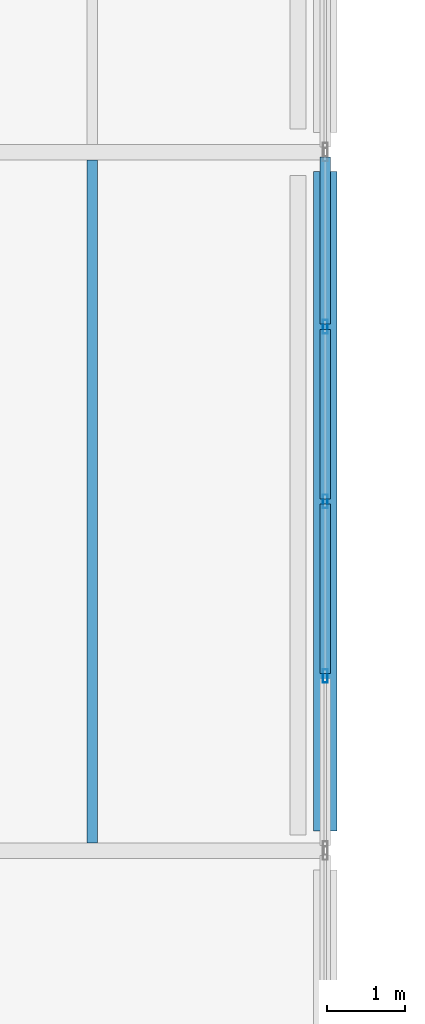
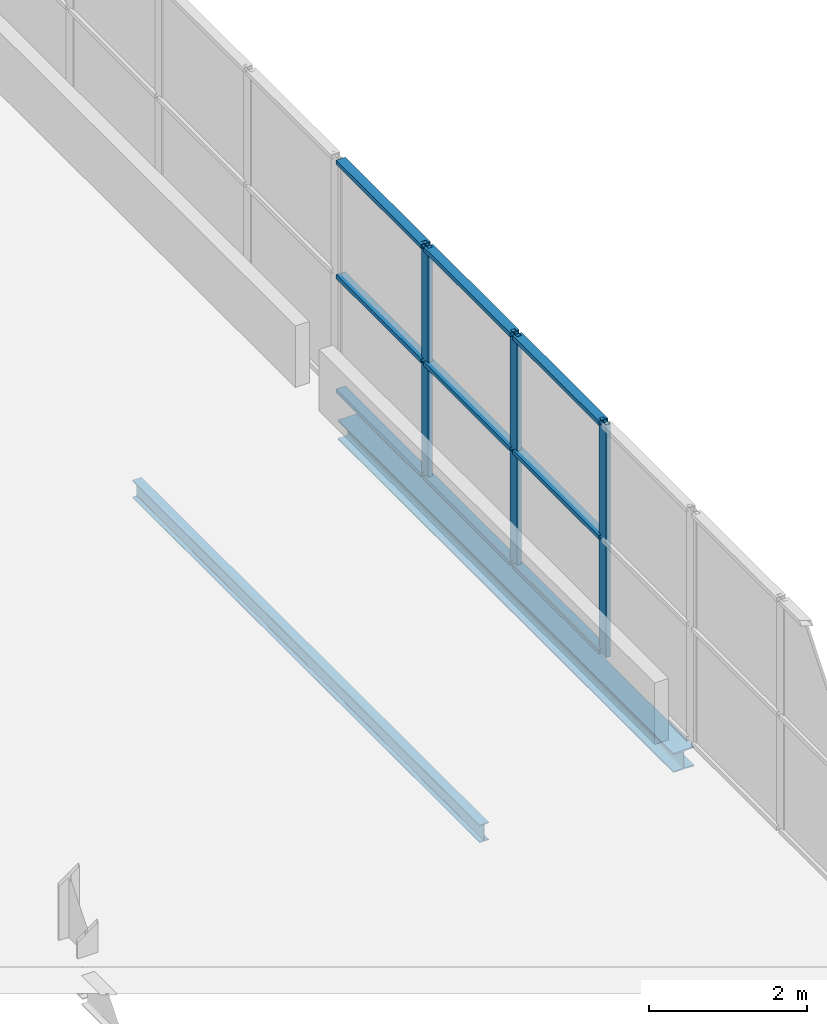
# One storey, part 26 of 88: 12 members, 2 beams, 1 element without a shape of its own.
"""IFC4 building model written with IfcOpenShell, lengths in metres."""

from ifc_helpers import new_model, si_unit, direction, frame, origin, origin_2d, place, context, subcontext, project, spatial, hollow_rectangle, i_section, extrude, material, layer, layer_set, material_profile, profile_set, type_object, element, aggregate, save


model = new_model("IFC4")

# Units and contexts
model_context = context("Model", 3, precision=1e-05, world=origin(), true_north=direction((0.0, 1.0)))
body_context = subcontext(model_context, "Body", "Model", "MODEL_VIEW")
ifc_project = project(units=[si_unit("LENGTHUNIT", "METRE"), si_unit("AREAUNIT", "SQUARE_METRE"), si_unit("VOLUMEUNIT", "CUBIC_METRE"), si_unit("PLANEANGLEUNIT", "RADIAN"), si_unit("MASSUNIT", "GRAM", prefix="KILO")], contexts=[model_context])

# Site, building, storey
site_placement = place(None, origin())
site = spatial("IfcSite", under=ifc_project, at=site_placement, CompositionType="ELEMENT")
building_placement = place(site_placement, origin())
building = spatial("IfcBuilding", under=site, at=building_placement, Name="Deido Ridge Mobility Hub", CompositionType="ELEMENT")
storey_placement = place(building_placement, frame((0.0, 0.0, 16.800048828125)))
storey = spatial("IfcBuildingStorey", under=building, at=storey_placement, Name="L04", CompositionType="ELEMENT", Elevation=16.800048828125)

# Beam
ifc_material_1 = material(Name="Steel S355J2 EN 10025-2", Category="steel")
ifc_material_profile_1 = material_profile(ifc_material_1, i_section(OverallWidth=0.135009765625, OverallDepth=0.27001953125, WebThickness=0.006591796875, FlangeThickness=0.01025390625, FilletRadius=0.014892578125, at=origin_2d()), Name="IPE 270")
ifc_profile_set_1 = profile_set([ifc_material_profile_1], Name="Steel S355J2 EN 10025-2")
beam_type_1 = type_object("IfcBeamType", Name="JST-IPE270", PredefinedType="JOIST", material=ifc_profile_set_1)
beam_1_placement = place(storey_placement, frame((105.0, 54.10009765625, -0.41015625), z_axis=(0.0, 1.0, 0.0), x_axis=(-1.0, 0.0, 0.0)))
element("IfcBeam", 1, at=beam_1_placement, inside=storey, type_object=beam_type_1, Name="Composite joist J4", PredefinedType="JOIST", context=body_context, shape_type="SweptSolid", body=[
    extrude(i_section(OverallWidth=0.135009765625, OverallDepth=0.27001953125, WebThickness=0.006591796875, FlangeThickness=0.01025390625, FilletRadius=0.014892578125, at=origin_2d()), origin(), (0.0, 0.0, 1.0), 8.7998046875),
])

# Curtain wall, members
ifc_material_2 = material(Name="Anodised aluminium EN AW-6063 T6", Category="aluminium")
ifc_layer = layer(ifc_material_2, 0.2099609375, Name="Anodised aluminium EN AW-6063 T6")
ifc_layer_set = layer_set([ifc_layer], Name="Anodised aluminium EN AW-6063 T6")
curtain_wall_type = type_object("IfcCurtainWallType", Name="CW-UF-4", PredefinedType="USERDEFINED", material=ifc_layer_set)
curtain_wall_placement = place(storey_placement, origin())
curtain_wall = element("IfcCurtainWall", 2, at=curtain_wall_placement, inside=storey, type_object=curtain_wall_type, Name="Unitised curtain wall CW4", ObjectType="UNITISED FACADE", PredefinedType="USERDEFINED")
ifc_material_profile_2 = material_profile(ifc_material_2, hollow_rectangle(XDim=0.06494140625, YDim=0.175048828125, WallThickness=0.00390625, at=origin_2d()), Name="RHS 65x175x4")
ifc_profile_set_2 = profile_set([ifc_material_profile_2], Name="Anodised aluminium EN AW-6063 T6")
member_type_1 = type_object("IfcMemberType", Name="MEM-MUL-65X175", PredefinedType="MULLION", material=ifc_profile_set_2)
member_1_placement = place(storey_placement, frame((108.0, 56.25, 0.0), z_axis=(0.0, 0.0, 1.0), x_axis=(-1.0, 0.0, 0.0)))
member_1 = element("IfcMember", 3, at=member_1_placement, type_object=member_type_1, Name="CW4 mullion 2", PredefinedType="MULLION", context=body_context, shape_type="SweptSolid", body=[
    extrude(hollow_rectangle(XDim=0.06494140625, YDim=0.175048828125, WallThickness=0.00390625, at=origin_2d()), origin(), (0.0, 0.0, 1.0), 3.599853515625),
])
member_2_placement = place(storey_placement, frame((108.0, 58.5, 0.0), z_axis=(0.0, 0.0, 1.0), x_axis=(-1.0, 0.0, 0.0)))
member_2 = element("IfcMember", 4, at=member_2_placement, type_object=member_type_1, Name="CW4 mullion 3", PredefinedType="MULLION", context=body_context, shape_type="SweptSolid", body=[
    extrude(hollow_rectangle(XDim=0.06494140625, YDim=0.175048828125, WallThickness=0.00390625, at=origin_2d()), origin(), (0.0, 0.0, 1.0), 3.599853515625),
])
member_3_placement = place(storey_placement, frame((108.0, 60.75, 0.0), z_axis=(0.0, 0.0, 1.0), x_axis=(-1.0, 0.0, 0.0)))
member_3 = element("IfcMember", 5, at=member_3_placement, type_object=member_type_1, Name="CW4 mullion 4", PredefinedType="MULLION", context=body_context, shape_type="SweptSolid", body=[
    extrude(hollow_rectangle(XDim=0.06494140625, YDim=0.175048828125, WallThickness=0.00390625, at=origin_2d()), origin(), (0.0, 0.0, 1.0), 3.599853515625),
])
ifc_material_profile_3 = material_profile(ifc_material_2, hollow_rectangle(XDim=0.135009765625, YDim=0.06494140625, WallThickness=0.00390625, at=origin_2d()), Name="RHS 135x65x4")
ifc_profile_set_3 = profile_set([ifc_material_profile_3], Name="Anodised aluminium EN AW-6063 T6")
member_type_2 = type_object("IfcMemberType", Name="MEM-TRN-135X65", PredefinedType="USERDEFINED", material=ifc_profile_set_3)
member_4_placement = place(storey_placement, frame((108.0, 56.282470703125, 0.032470703125), z_axis=(0.0, 1.0, 0.0), x_axis=(-1.0, 0.0, 0.0)))
member_4 = element("IfcMember", 6, at=member_4_placement, type_object=member_type_2, Name="CW4 transom 2.1", ObjectType="TRANSOM", PredefinedType="USERDEFINED", context=body_context, shape_type="SweptSolid", body=[
    extrude(hollow_rectangle(XDim=0.135009765625, YDim=0.06494140625, WallThickness=0.00390625, at=origin_2d()), origin(), (0.0, 0.0, 1.0), 2.18505859375),
])
member_5_placement = place(storey_placement, frame((108.0, 56.282470703125, 1.800048828125), z_axis=(0.0, 1.0, 0.0), x_axis=(-1.0, 0.0, 0.0)))
member_5 = element("IfcMember", 7, at=member_5_placement, type_object=member_type_2, Name="CW4 transom 2.2", ObjectType="TRANSOM", PredefinedType="USERDEFINED", context=body_context, shape_type="SweptSolid", body=[
    extrude(hollow_rectangle(XDim=0.135009765625, YDim=0.06494140625, WallThickness=0.00390625, at=origin_2d()), origin(), (0.0, 0.0, 1.0), 2.18505859375),
])
member_6_placement = place(storey_placement, frame((108.0, 56.282470703125, 3.5673828125), z_axis=(0.0, 1.0, 0.0), x_axis=(-1.0, 0.0, 0.0)))
member_6 = element("IfcMember", 8, at=member_6_placement, type_object=member_type_2, Name="CW4 transom 2.3", ObjectType="TRANSOM", PredefinedType="USERDEFINED", context=body_context, shape_type="SweptSolid", body=[
    extrude(hollow_rectangle(XDim=0.135009765625, YDim=0.06494140625, WallThickness=0.00390625, at=origin_2d()), origin(), (0.0, 0.0, 1.0), 2.18505859375),
])
member_7_placement = place(storey_placement, frame((108.0, 58.532470703125, 0.032470703125), z_axis=(0.0, 1.0, 0.0), x_axis=(-1.0, 0.0, 0.0)))
member_7 = element("IfcMember", 9, at=member_7_placement, type_object=member_type_2, Name="CW4 transom 3.1", ObjectType="TRANSOM", PredefinedType="USERDEFINED", context=body_context, shape_type="SweptSolid", body=[
    extrude(hollow_rectangle(XDim=0.135009765625, YDim=0.06494140625, WallThickness=0.00390625, at=origin_2d()), origin(), (0.0, 0.0, 1.0), 2.18505859375),
])
member_8_placement = place(storey_placement, frame((108.0, 58.532470703125, 1.800048828125), z_axis=(0.0, 1.0, 0.0), x_axis=(-1.0, 0.0, 0.0)))
member_8 = element("IfcMember", 10, at=member_8_placement, type_object=member_type_2, Name="CW4 transom 3.2", ObjectType="TRANSOM", PredefinedType="USERDEFINED", context=body_context, shape_type="SweptSolid", body=[
    extrude(hollow_rectangle(XDim=0.135009765625, YDim=0.06494140625, WallThickness=0.00390625, at=origin_2d()), origin(), (0.0, 0.0, 1.0), 2.18505859375),
])
member_9_placement = place(storey_placement, frame((108.0, 58.532470703125, 3.5673828125), z_axis=(0.0, 1.0, 0.0), x_axis=(-1.0, 0.0, 0.0)))
member_9 = element("IfcMember", 11, at=member_9_placement, type_object=member_type_2, Name="CW4 transom 3.3", ObjectType="TRANSOM", PredefinedType="USERDEFINED", context=body_context, shape_type="SweptSolid", body=[
    extrude(hollow_rectangle(XDim=0.135009765625, YDim=0.06494140625, WallThickness=0.00390625, at=origin_2d()), origin(), (0.0, 0.0, 1.0), 2.18505859375),
])
member_10_placement = place(storey_placement, frame((108.0, 60.782470703125, 0.032470703125), z_axis=(0.0, 1.0, 0.0), x_axis=(-1.0, 0.0, 0.0)))
member_10 = element("IfcMember", 12, at=member_10_placement, type_object=member_type_2, Name="CW4 transom 4.1", ObjectType="TRANSOM", PredefinedType="USERDEFINED", context=body_context, shape_type="SweptSolid", body=[
    extrude(hollow_rectangle(XDim=0.135009765625, YDim=0.06494140625, WallThickness=0.00390625, at=origin_2d()), origin(), (0.0, 0.0, 1.0), 2.152587890625),
])
member_11_placement = place(storey_placement, frame((108.0, 60.782470703125, 1.800048828125), z_axis=(0.0, 1.0, 0.0), x_axis=(-1.0, 0.0, 0.0)))
member_11 = element("IfcMember", 13, at=member_11_placement, type_object=member_type_2, Name="CW4 transom 4.2", ObjectType="TRANSOM", PredefinedType="USERDEFINED", context=body_context, shape_type="SweptSolid", body=[
    extrude(hollow_rectangle(XDim=0.135009765625, YDim=0.06494140625, WallThickness=0.00390625, at=origin_2d()), origin(), (0.0, 0.0, 1.0), 2.152587890625),
])
member_12_placement = place(storey_placement, frame((108.0, 60.782470703125, 3.5673828125), z_axis=(0.0, 1.0, 0.0), x_axis=(-1.0, 0.0, 0.0)))
member_12 = element("IfcMember", 14, at=member_12_placement, type_object=member_type_2, Name="CW4 transom 4.3", ObjectType="TRANSOM", PredefinedType="USERDEFINED", context=body_context, shape_type="SweptSolid", body=[
    extrude(hollow_rectangle(XDim=0.135009765625, YDim=0.06494140625, WallThickness=0.00390625, at=origin_2d()), origin(), (0.0, 0.0, 1.0), 2.152587890625),
])
aggregate(curtain_wall, [member_1, member_2, member_3, member_4, member_5, member_6, member_7, member_8, member_9, member_10, member_11, member_12])

# Beam
ifc_material_profile_4 = material_profile(ifc_material_1, i_section(OverallWidth=0.300048828125, OverallDepth=0.300048828125, WebThickness=0.010986328125, FlangeThickness=0.01904296875, FilletRadius=0.027099609375, at=origin_2d()), Name="HEB 300")
ifc_profile_set_4 = profile_set([ifc_material_profile_4], Name="Steel S355J2 EN 10025-2")
beam_type_2 = type_object("IfcBeamType", Name="SPD-HEB300", PredefinedType="SPANDREL", material=ifc_profile_set_4)
beam_2_placement = place(storey_placement, frame((108.0, 54.25, -0.425048828125), z_axis=(0.0, 1.0, 0.0), x_axis=(-1.0, 0.0, 0.0)))
element("IfcBeam", 15, at=beam_2_placement, inside=storey, type_object=beam_type_2, Name="Floor beam SP1", PredefinedType="SPANDREL", context=body_context, shape_type="SweptSolid", body=[
    extrude(i_section(OverallWidth=0.300048828125, OverallDepth=0.300048828125, WebThickness=0.010986328125, FlangeThickness=0.01904296875, FilletRadius=0.027099609375, at=origin_2d()), origin(), (0.0, 0.0, 1.0), 8.5),
])

save(model, "model.ifc")
